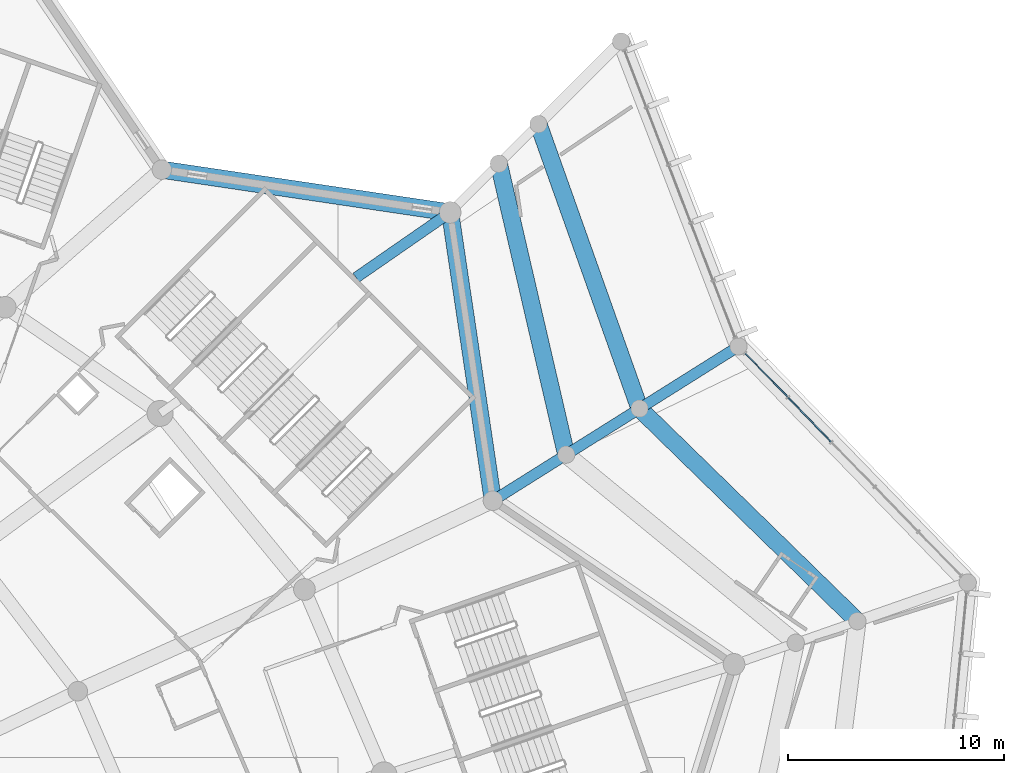
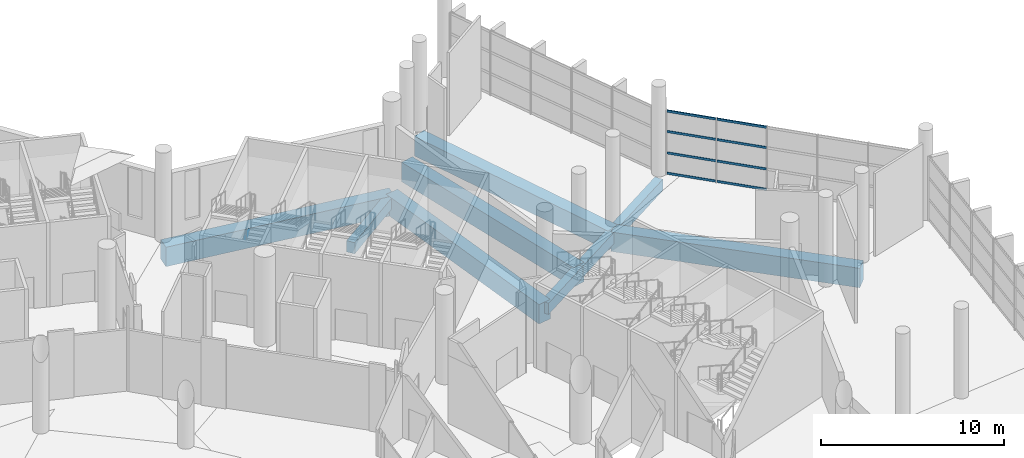
# One storey, part 94 of 249: 9 beams, 8 members, 1 element without a shape of its own.
"""IFC4 building model written with IfcOpenShell, lengths in metres."""

from ifc_helpers import new_model, si_unit, direction, frame, origin, origin_2d, place, context, subcontext, project, spatial, rectangle, extrude, material, layer, layer_set, material_profile, profile_set, type_object, element, aggregate, save


model = new_model("IFC4")

# Units and contexts
model_context = context("Model", 3, precision=1e-05, world=origin(), true_north=direction((0.0, 1.0)))
body_context = subcontext(model_context, "Body", "Model", "MODEL_VIEW")
ifc_project = project(units=[si_unit("LENGTHUNIT", "METRE"), si_unit("AREAUNIT", "SQUARE_METRE"), si_unit("VOLUMEUNIT", "CUBIC_METRE"), si_unit("PLANEANGLEUNIT", "RADIAN"), si_unit("MASSUNIT", "GRAM", prefix="KILO")], contexts=[model_context])

# Site, building, storey
site_placement = place(None, origin())
site = spatial("IfcSite", under=ifc_project, at=site_placement, CompositionType="ELEMENT")
building_placement = place(site_placement, origin())
building = spatial("IfcBuilding", under=site, at=building_placement, Name="Meseta Stadium", CompositionType="ELEMENT")
storey_placement = place(building_placement, frame((0.0, 0.0, 12.0)))
storey = spatial("IfcBuildingStorey", under=building, at=storey_placement, Name="L02", CompositionType="ELEMENT", Elevation=12.0)

# Beams
ifc_material_1 = material(Name="Concrete C40/50", Category="concrete")
ifc_material_profile_1 = material_profile(ifc_material_1, rectangle(XDim=0.5, YDim=0.75, at=origin_2d()), Name="RC 500x750")
ifc_profile_set_1 = profile_set([ifc_material_profile_1], Name="Concrete C40/50")
beam_type_1 = type_object("IfcBeamType", Name="RC beam 500x750", PredefinedType="BEAM", material=ifc_profile_set_1)
beam_1_placement = place(storey_placement, frame((80.830078125, 86.16357421875, -0.72509765625), z_axis=(0.821929323184, 0.569589490503, 0.0), x_axis=(-0.569589490503, 0.821929323184, 0.0)))
element("IfcBeam", 1, at=beam_1_placement, inside=storey, type_object=beam_type_1, Name="L02 radial beam frame 12 line P to R", PredefinedType="BEAM", context=body_context, shape_type="SweptSolid", body=[
    extrude(rectangle(XDim=0.5, YDim=0.75, at=origin_2d()), origin(), (0.0, 0.0, 1.0), 5.284423828125),
])
beam_2_placement = place(storey_placement, frame((87.15087890625, 75.856689453125, -0.72509765625), z_axis=(0.846706472046, 0.532060288122, 0.0), x_axis=(-0.532060288122, 0.846706472046, 0.0)))
element("IfcBeam", 2, at=beam_2_placement, inside=storey, type_object=beam_type_1, Name="L02 radial beam frame 11 line R to M", PredefinedType="BEAM", context=body_context, shape_type="SweptSolid", body=[
    extrude(rectangle(XDim=0.5, YDim=0.75, at=origin_2d()), origin(), (0.0, 0.0, 1.0), 3.999755859375),
])
beam_3_placement = place(storey_placement, frame((90.53759765625, 77.98486328125, -0.72509765625), z_axis=(0.846723749582, 0.532032792122, 0.0), x_axis=(-0.532032792122, 0.846723749582, 0.0)))
element("IfcBeam", 3, at=beam_3_placement, inside=storey, type_object=beam_type_1, Name="L02 radial beam frame 11 line M to Q", PredefinedType="BEAM", context=body_context, shape_type="SweptSolid", body=[
    extrude(rectangle(XDim=0.5, YDim=0.75, at=origin_2d()), origin(), (0.0, 0.0, 1.0), 4.0),
])
beam_4_placement = place(storey_placement, frame((93.924560546875, 80.113037109375, -0.72509765625), z_axis=(0.846715692546, 0.532045614582, 0.0), x_axis=(-0.532045614582, 0.846715692546, 0.0)))
element("IfcBeam", 4, at=beam_4_placement, inside=storey, type_object=beam_type_1, Name="L02 radial beam frame 11 line Q to O", PredefinedType="BEAM", context=body_context, shape_type="SweptSolid", body=[
    extrude(rectangle(XDim=0.5, YDim=0.75, at=origin_2d()), origin(), (0.0, 0.0, 1.0), 5.39990234375),
])
ifc_material_2 = material(Name="Concrete C40/50", Category="concrete")
ifc_material_profile_2 = material_profile(ifc_material_2, rectangle(XDim=0.800048828125, YDim=1.300048828125, at=origin_2d()), Name="RC 800x1300")
ifc_profile_set_2 = profile_set([ifc_material_profile_2], Name="Concrete C40/50")
beam_type_2 = type_object("IfcBeamType", Name="RC beam 800x1300", PredefinedType="BEAM", material=ifc_profile_set_2)
for number, where, z_axis, x_axis, name in (
    (5, (87.15087890625, 75.856689453125, -1.0), (-0.146870032835, 0.989155798373, 0.0), (-0.989155798373, -0.146870032835, 0.0), "L02 ring beam frame 11 line R"),
    (6, (85.173583984375, 89.173583984375, -1.0), (-0.989155798373, 0.146870032835, 0.0), (-0.146870032835, -0.989155798373, 0.0), "L02 ring beam frame 12 line R"),
):
    element("IfcBeam", number, at=place(storey_placement, frame(where, z_axis=z_axis, x_axis=x_axis)), inside=storey, type_object=beam_type_2, Name=name, PredefinedType="BEAM", context=body_context, shape_type="SweptSolid", body=[
        extrude(rectangle(XDim=0.800048828125, YDim=1.300048828125, at=origin_2d()), origin(), (0.0, 0.0, 1.0), 13.462890625),
    ])
beam_5_placement = place(storey_placement, frame((103.989990234375, 70.29150390625, -1.0), z_axis=(-0.715725013536, 0.698382205529, 0.0), x_axis=(-0.698382205529, -0.715725013536, 0.0)))
element("IfcBeam", 7, at=beam_5_placement, inside=storey, type_object=beam_type_2, Name="L02 ring beam frame 10 line Q", PredefinedType="BEAM", context=body_context, shape_type="SweptSolid", body=[
    extrude(rectangle(XDim=0.800048828125, YDim=1.300048828125, at=origin_2d()), origin(), (0.0, 0.0, 1.0), 14.063232421875),
])
beam_6_placement = place(storey_placement, frame((90.53759765625, 77.98486328125, -1.0), z_axis=(-0.225490125016, 0.974245453426, 0.0), x_axis=(-0.974245453426, -0.225490125016, 0.0)))
element("IfcBeam", 8, at=beam_6_placement, inside=storey, type_object=beam_type_2, Name="L02 ring beam frame 11 line M", PredefinedType="BEAM", context=body_context, shape_type="SweptSolid", body=[
    extrude(rectangle(XDim=0.800048828125, YDim=1.300048828125, at=origin_2d()), origin(), (0.0, 0.0, 1.0), 13.796875),
])
beam_7_placement = place(storey_placement, frame((93.924560546875, 80.113037109375, -1.0), z_axis=(-0.334820067045, 0.942282082343, 0.0), x_axis=(-0.942282082343, -0.334820067045, 0.0)))
element("IfcBeam", 9, at=beam_7_placement, inside=storey, type_object=beam_type_2, Name="L02 ring beam frame 11 line Q", PredefinedType="BEAM", context=body_context, shape_type="SweptSolid", body=[
    extrude(rectangle(XDim=0.800048828125, YDim=1.300048828125, at=origin_2d()), origin(), (0.0, 0.0, 1.0), 13.94677734375),
])

# Curtain wall, members
ifc_material_3 = material(Name="Aluminium", Category="aluminium")
ifc_layer = layer(ifc_material_3, 0.199951171875)
ifc_layer_set = layer_set([ifc_layer], Name="Ring shopfront curtain wall")
curtain_wall_type = type_object("IfcCurtainWallType", Name="Ring shopfront curtain wall", PredefinedType="NOTDEFINED", material=ifc_layer_set)
curtain_wall_placement = place(storey_placement, origin())
curtain_wall = element("IfcCurtainWall", 10, at=curtain_wall_placement, inside=storey, type_object=curtain_wall_type, Name="Ring glazing L02 F10", PredefinedType="NOTDEFINED")
ifc_material_4 = material(Name="Aluminium", Category="aluminium")
ifc_material_profile_3 = material_profile(ifc_material_4, rectangle(XDim=0.06005859375, YDim=0.14990234375, at=origin_2d()), Name="CW 60x150")
ifc_profile_set_3 = profile_set([ifc_material_profile_3], Name="Aluminium")
member_type = type_object("IfcMemberType", Name="Ring CW transom 60x150", PredefinedType="USERDEFINED", material=ifc_profile_set_3)
member_1_placement = place(storey_placement, frame((102.767822265625, 78.585693359375, 0.074951171875), z_axis=(-0.696470134666, 0.717585779902, 0.0), x_axis=(-0.717585779902, -0.696470134666, 0.0)))
member_1 = element("IfcMember", 11, at=member_1_placement, type_object=member_type, Name="CWR1 transom 4.1", ObjectType="TRANSOM", PredefinedType="USERDEFINED", context=body_context, shape_type="SweptSolid", body=[
    extrude(rectangle(XDim=0.06005859375, YDim=0.14990234375, at=origin_2d()), origin(), (0.0, 0.0, 1.0), 2.821044921875),
])
member_2_placement = place(storey_placement, frame((102.767822265625, 78.585693359375, 1.433349609375), z_axis=(-0.696470134666, 0.717585779902, 0.0), x_axis=(-0.717585779902, -0.696470134666, 0.0)))
member_2 = element("IfcMember", 12, at=member_2_placement, type_object=member_type, Name="CWR1 transom 4.2", ObjectType="TRANSOM", PredefinedType="USERDEFINED", context=body_context, shape_type="SweptSolid", body=[
    extrude(rectangle(XDim=0.06005859375, YDim=0.14990234375, at=origin_2d()), origin(), (0.0, 0.0, 1.0), 2.821044921875),
])
member_3_placement = place(storey_placement, frame((102.767822265625, 78.585693359375, 2.86669921875), z_axis=(-0.696470134666, 0.717585779902, 0.0), x_axis=(-0.717585779902, -0.696470134666, 0.0)))
member_3 = element("IfcMember", 13, at=member_3_placement, type_object=member_type, Name="CWR1 transom 4.3", ObjectType="TRANSOM", PredefinedType="USERDEFINED", context=body_context, shape_type="SweptSolid", body=[
    extrude(rectangle(XDim=0.06005859375, YDim=0.14990234375, at=origin_2d()), origin(), (0.0, 0.0, 1.0), 2.821044921875),
])
member_4_placement = place(storey_placement, frame((102.767822265625, 78.585693359375, 4.22509765625), z_axis=(-0.696470134666, 0.717585779902, 0.0), x_axis=(-0.717585779902, -0.696470134666, 0.0)))
member_4 = element("IfcMember", 14, at=member_4_placement, type_object=member_type, Name="CWR1 transom 4.4", ObjectType="TRANSOM", PredefinedType="USERDEFINED", context=body_context, shape_type="SweptSolid", body=[
    extrude(rectangle(XDim=0.06005859375, YDim=0.14990234375, at=origin_2d()), origin(), (0.0, 0.0, 1.0), 2.821044921875),
])
member_5_placement = place(storey_placement, frame((100.76123046875, 80.653076171875, 0.074951171875), z_axis=(-0.696443583041, 0.717611549267, 0.0), x_axis=(-0.717611549267, -0.696443583041, 0.0)))
member_5 = element("IfcMember", 15, at=member_5_placement, type_object=member_type, Name="CWR1 transom 5.1", ObjectType="TRANSOM", PredefinedType="USERDEFINED", context=body_context, shape_type="SweptSolid", body=[
    extrude(rectangle(XDim=0.06005859375, YDim=0.14990234375, at=origin_2d()), origin(), (0.0, 0.0, 1.0), 2.791015625),
])
member_6_placement = place(storey_placement, frame((100.76123046875, 80.653076171875, 1.433349609375), z_axis=(-0.696443583041, 0.717611549267, 0.0), x_axis=(-0.717611549267, -0.696443583041, 0.0)))
member_6 = element("IfcMember", 16, at=member_6_placement, type_object=member_type, Name="CWR1 transom 5.2", ObjectType="TRANSOM", PredefinedType="USERDEFINED", context=body_context, shape_type="SweptSolid", body=[
    extrude(rectangle(XDim=0.06005859375, YDim=0.14990234375, at=origin_2d()), origin(), (0.0, 0.0, 1.0), 2.791015625),
])
member_7_placement = place(storey_placement, frame((100.76123046875, 80.653076171875, 2.86669921875), z_axis=(-0.696443583041, 0.717611549267, 0.0), x_axis=(-0.717611549267, -0.696443583041, 0.0)))
member_7 = element("IfcMember", 17, at=member_7_placement, type_object=member_type, Name="CWR1 transom 5.3", ObjectType="TRANSOM", PredefinedType="USERDEFINED", context=body_context, shape_type="SweptSolid", body=[
    extrude(rectangle(XDim=0.06005859375, YDim=0.14990234375, at=origin_2d()), origin(), (0.0, 0.0, 1.0), 2.791015625),
])
member_8_placement = place(storey_placement, frame((100.76123046875, 80.653076171875, 4.22509765625), z_axis=(-0.696443583041, 0.717611549267, 0.0), x_axis=(-0.717611549267, -0.696443583041, 0.0)))
member_8 = element("IfcMember", 18, at=member_8_placement, type_object=member_type, Name="CWR1 transom 5.4", ObjectType="TRANSOM", PredefinedType="USERDEFINED", context=body_context, shape_type="SweptSolid", body=[
    extrude(rectangle(XDim=0.06005859375, YDim=0.14990234375, at=origin_2d()), origin(), (0.0, 0.0, 1.0), 2.791015625),
])
aggregate(curtain_wall, [member_1, member_2, member_3, member_4, member_5, member_6, member_7, member_8])

save(model, "model.ifc")
